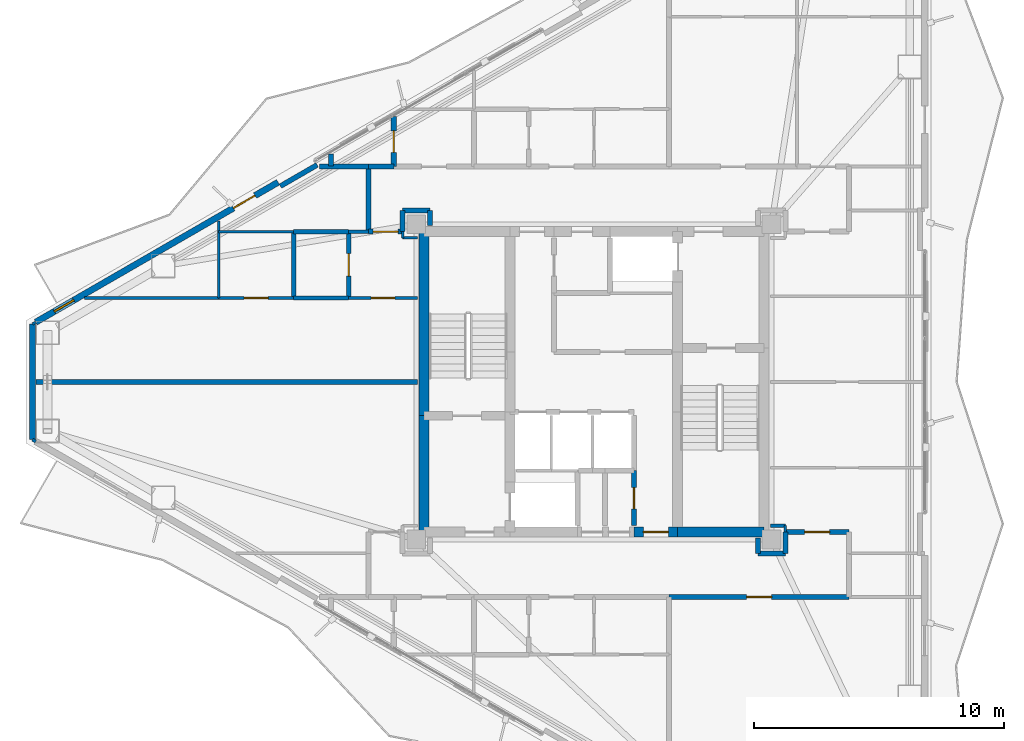
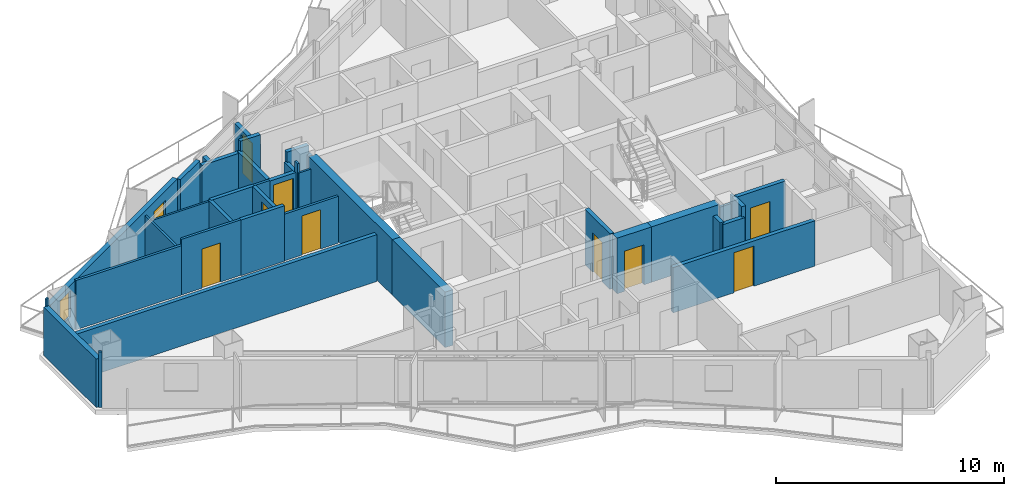
# One storey, part 13 of 18: 39 walls, 10 doors, 1 window, 11 openings.
"""IFC4 building model written with IfcOpenShell, lengths in metres."""

from ifc_helpers import new_model, si_unit, direction, frame, frame_2d, origin, place, context, subcontext, project, spatial, rectangle, extrude, material, layer, layer_set, type_object, element, fill, save


model = new_model("IFC4")

# Units and contexts
model_context = context("Model", 3, precision=1e-05, world=origin(), true_north=direction((0.0, 1.0)))
body_context = subcontext(model_context, "Body", "Model", "MODEL_VIEW")
ifc_project = project(units=[si_unit("LENGTHUNIT", "METRE"), si_unit("AREAUNIT", "SQUARE_METRE"), si_unit("VOLUMEUNIT", "CUBIC_METRE"), si_unit("PLANEANGLEUNIT", "RADIAN"), si_unit("MASSUNIT", "GRAM", prefix="KILO")], contexts=[model_context])

# Site, building, storey
site_placement = place(None, origin())
site = spatial("IfcSite", under=ifc_project, at=site_placement, CompositionType="ELEMENT")
building_placement = place(site_placement, origin())
building = spatial("IfcBuilding", under=site, at=building_placement, Name="Mersakhor Tower and Convention Hall", CompositionType="ELEMENT")
storey_placement = place(building_placement, frame((0.0, 0.0, 157.5)))
storey = spatial("IfcBuildingStorey", under=building, at=storey_placement, Name="L44", CompositionType="ELEMENT", Elevation=157.5)

# Wall
ifc_material_1 = material(Name="Precast concrete C40/50", Category="concrete")
ifc_layer_1 = layer(ifc_material_1, 0.25)
ifc_layer_set_1 = layer_set([ifc_layer_1], Name="Precast concrete C40/50")
wall_type_1 = type_object("IfcWallType", Name="WL-EXT-250", PredefinedType="SOLIDWALL", material=ifc_layer_set_1)
wall_1_placement = place(storey_placement, frame((6.560302734375, 24.44140625, 0.0), z_axis=(0.0, 0.0, 1.0), x_axis=(0.0, 1.0, 0.0)))
element("IfcWall", 1, at=wall_1_placement, inside=storey, type_object=wall_type_1, Name="L44 Chamfer Braced Spandrel Wall C3", PredefinedType="SOLIDWALL", context=body_context, shape_type="SweptSolid", body=[
    extrude(rectangle(XDim=4.6171875, YDim=0.25, at=frame_2d((2.30859375, 0.0))), origin(), (0.0, 0.0, 1.0), 2.60009765625),
])

# Wall, openings, door, window
wall_2_placement = place(storey_placement, frame((6.690185546875, 29.1337890625, 0.0), z_axis=(0.0, 0.0, 1.0), x_axis=(0.866027848477, 0.499995765644, 0.0)))
wall_2 = element("IfcWall", 2, at=wall_2_placement, inside=storey, type_object=wall_type_1, Name="L44 Exterior Facade Wall F1-B1", PredefinedType="SOLIDWALL", context=body_context, shape_type="SweptSolid", body=[
    extrude(rectangle(XDim=11.18603515625, YDim=0.25, at=frame_2d((5.593017578125, 0.0))), origin(), (0.0, 0.0, 1.0), 2.60009765625),
])
opening_1_placement = place(wall_2_placement, frame((9.1220703125, 0.0, 0.0)))
opening_1 = element("IfcOpeningElement", 3, at=opening_1_placement, cuts=wall_2, Name="Opening BD-01", PredefinedType="OPENING", context=body_context, shape_type="SweptSolid", body=[
    extrude(rectangle(XDim=1.0, YDim=2.10009765625, at=frame_2d((0.5, 1.050048828125))), frame((0.0, 0.135009765625, 0.0), z_axis=(0.0, -1.0, 0.0), x_axis=(1.0, 0.0, 0.0)), (0.0, 0.0, 1.0), 0.27001953125),
])
opening_2_placement = place(wall_2_placement, frame((0.860107421875, 0.0, 0.89990234375)))
opening_2 = element("IfcOpeningElement", 4, at=opening_2_placement, cuts=wall_2, Name="Opening W-06", PredefinedType="OPENING", context=body_context, shape_type="SweptSolid", body=[
    extrude(rectangle(XDim=0.89990234375, YDim=1.39990234375, at=frame_2d((0.449951171875, 0.699951171875))), frame((0.0, 0.135009765625, 0.0), z_axis=(0.0, -1.0, 0.0), x_axis=(1.0, 0.0, 0.0)), (0.0, 0.0, 1.0), 0.27001953125),
])
ifc_material_2 = material(Name="Thermally broken dark aluminium and safety glass", Category="aluminium")
door_type_1 = type_object("IfcDoorType", Name="DR-BAL-100x210", OperationType="NOTDEFINED", PredefinedType="DOOR", material=ifc_material_2)
door_1_placement = place(opening_1_placement, origin())
door_1 = element("IfcDoor", 5, at=door_1_placement, inside=storey, type_object=door_type_1, Name="L44 Balcony Terrace Door F1-B1", OperationType="SINGLE_SWING_LEFT", OverallHeight=2.10009765625, OverallWidth=1.0, PredefinedType="DOOR", context=body_context, shape_type="SweptSolid", body=[
    extrude(rectangle(XDim=1.0, YDim=2.10009765625, at=frame_2d((0.5, 1.050048828125))), frame((0.0, 0.02490234375, 0.0), z_axis=(0.0, -1.0, 0.0), x_axis=(1.0, 0.0, 0.0)), (0.0, 0.0, 1.0), 0.050048828125),
])
fill(opening_1, door_1)
ifc_material_3 = material(Name="Dark solar low-E glazed aluminium window", Category="aluminium")
window_type = type_object("IfcWindowType", Name="WN-STD-090x140", PartitioningType="SINGLE_PANEL", PredefinedType="WINDOW", material=ifc_material_3)
window_placement = place(opening_2_placement, origin())
window = element("IfcWindow", 6, at=window_placement, inside=storey, type_object=window_type, Name="L44 Bedroom Facade Window F1-B1-1", OverallHeight=1.39990234375, OverallWidth=0.89990234375, PartitioningType="SINGLE_PANEL", PredefinedType="WINDOW", context=body_context, shape_type="SweptSolid", body=[
    extrude(rectangle(XDim=0.89990234375, YDim=1.39990234375, at=frame_2d((0.449951171875, 0.699951171875))), frame((0.0, 0.030029296875, 0.0), z_axis=(0.0, -1.0, 0.0), x_axis=(1.0, 0.0, 0.0)), (0.0, 0.0, 1.0), 0.06005859375),
])
fill(opening_2, window)

# Wall
ifc_material_4 = material(Name="Precast concrete C40/50", Category="concrete")
ifc_layer_2 = layer(ifc_material_4, 0.199951171875)
ifc_layer_set_2 = layer_set([ifc_layer_2], Name="Precast concrete C40/50")
wall_type_2 = type_object("IfcWallType", Name="WL-PAR-200", PredefinedType="PARAPET", material=ifc_layer_set_2)
wall_3_placement = place(storey_placement, frame((16.467529296875, 34.57080078125, 0.0), z_axis=(0.0, 0.0, 1.0), x_axis=(0.865989465428, 0.500062241894, 0.0)))
element("IfcWall", 7, at=wall_3_placement, inside=storey, type_object=wall_type_2, Name="L44 Column Pier Cladding Wall F1-C1", PredefinedType="PARAPET", context=body_context, shape_type="SweptSolid", body=[
    extrude(rectangle(XDim=1.699951171875, YDim=0.199951171875, at=frame_2d((0.85009765625, 0.0))), origin(), (0.0, 0.0, 1.0), 2.60009765625),
])

# Wall, opening, door
ifc_material_5 = material(Name="Moisture-resistant acoustic drywall studwork", Category="other")
ifc_layer_3 = layer(ifc_material_5, 0.175048828125)
ifc_layer_set_3 = layer_set([ifc_layer_3], Name="Moisture-resistant acoustic drywall studwork")
wall_type_3 = type_object("IfcWallType", Name="WL-PLM-175", PredefinedType="PLUMBINGWALL", material=ifc_layer_set_3)
wall_4_placement = place(storey_placement, frame((19.199951171875, 30.10009765625, 0.0), z_axis=(0.0, 0.0, 1.0), x_axis=(0.0, 1.0, 0.0)))
wall_4 = element("IfcWall", 8, at=wall_4_placement, inside=storey, type_object=wall_type_3, Name="L44 Interior Partition Wall P-060", PredefinedType="PLUMBINGWALL", context=body_context, shape_type="SweptSolid", body=[
    extrude(rectangle(XDim=2.64990234375, YDim=0.175048828125, at=frame_2d((1.324951171875, 0.0))), origin(), (0.0, 0.0, 1.0), 2.42822265625),
])
opening_3_placement = place(wall_4_placement, frame((0.875, 0.0, 0.0)))
opening_3 = element("IfcOpeningElement", 9, at=opening_3_placement, cuts=wall_4, Name="Opening WD-01", PredefinedType="OPENING", context=body_context, shape_type="SweptSolid", body=[
    extrude(rectangle(XDim=0.89990234375, YDim=2.10009765625, at=frame_2d((0.449951171875, 1.050048828125))), frame((0.0, 0.097412109375, 0.0), z_axis=(0.0, -1.0, 0.0), x_axis=(1.0, 0.0, 0.0)), (0.0, 0.0, 1.0), 0.195068359375),
])
ifc_material_6 = material(Name="Solid-core hardwood leaf in painted steel frame", Category="steel")
door_type_2 = type_object("IfcDoorType", Name="DR-INT-WET-090x210", OperationType="NOTDEFINED", PredefinedType="DOOR", material=ifc_material_6)
door_2_placement = place(opening_3_placement, origin())
door_2 = element("IfcDoor", 10, at=door_2_placement, inside=storey, type_object=door_type_2, Name="L44 L44 Flat W5 Apartment Hall to L44 Flat W5 Bathroom Door", OperationType="SINGLE_SWING_LEFT", OverallHeight=2.10009765625, OverallWidth=0.89990234375, PredefinedType="DOOR", context=body_context, shape_type="SweptSolid", body=[
    extrude(rectangle(XDim=0.89990234375, YDim=2.10009765625, at=frame_2d((0.449951171875, 1.050048828125))), frame((0.0, 0.02490234375, 0.0), z_axis=(0.0, -1.0, 0.0), x_axis=(1.0, 0.0, 0.0)), (0.0, 0.0, 1.0), 0.050048828125),
])
fill(opening_3, door_2)

# Walls
wall_5_placement = place(storey_placement, frame((17.0, 32.75, 0.0), z_axis=(0.0, 0.0, 1.0), x_axis=(1.0, 0.0, 0.0)))
element("IfcWall", 11, at=wall_5_placement, inside=storey, type_object=wall_type_3, Name="L44 Interior Partition Wall P-071", PredefinedType="PLUMBINGWALL", context=body_context, shape_type="SweptSolid", body=[
    extrude(rectangle(XDim=2.199951171875, YDim=0.175048828125, at=frame_2d((1.10009765625, 0.0))), origin(), (0.0, 0.0, 1.0), 2.42822265625),
])
wall_6_placement = place(storey_placement, frame((19.199951171875, 30.10009765625, 0.0), z_axis=(0.0, 0.0, 1.0), x_axis=(-1.0, 0.0, 0.0)))
element("IfcWall", 12, at=wall_6_placement, inside=storey, type_object=wall_type_3, Name="L44 Interior Partition Wall P-072", PredefinedType="PLUMBINGWALL", context=body_context, shape_type="SweptSolid", body=[
    extrude(rectangle(XDim=2.199951171875, YDim=0.175048828125, at=frame_2d((1.10009765625, 0.0))), origin(), (0.0, 0.0, 1.0), 2.97998046875),
])
wall_7_placement = place(storey_placement, frame((17.0, 30.10009765625, 0.0), z_axis=(0.0, 0.0, 1.0), x_axis=(0.0, 1.0, 0.0)))
element("IfcWall", 13, at=wall_7_placement, inside=storey, type_object=wall_type_3, Name="L44 Interior Partition Wall P-073", PredefinedType="PLUMBINGWALL", context=body_context, shape_type="SweptSolid", body=[
    extrude(rectangle(XDim=2.64990234375, YDim=0.175048828125, at=frame_2d((1.324951171875, 0.0))), origin(), (0.0, 0.0, 1.0), 2.42822265625),
])
ifc_material_7 = material(Name="Lightweight gypsum partition", Category="other")
ifc_layer_4 = layer(ifc_material_7, 0.10009765625)
ifc_layer_set_4 = layer_set([ifc_layer_4], Name="Lightweight gypsum partition")
wall_type_4 = type_object("IfcWallType", Name="WL-PRT-100", PredefinedType="PARTITIONING", material=ifc_layer_set_4)
wall_8_placement = place(storey_placement, frame((21.35009765625, 32.5, 0.0), z_axis=(0.0, 0.0, 1.0), x_axis=(1.0, 0.0, 0.0)))
element("IfcWall", 14, at=wall_8_placement, inside=storey, type_object=wall_type_4, Name="L44 Interior Partition Wall P-058", PredefinedType="PARTITIONING", context=body_context, shape_type="SweptSolid", body=[
    extrude(rectangle(XDim=0.599853515625, YDim=0.10009765625, at=frame_2d((0.2998046875, 0.0))), origin(), (0.0, 0.0, 1.0), 2.5048828125),
])
wall_9_placement = place(storey_placement, frame((21.35009765625, 32.75, 0.0), z_axis=(0.0, 0.0, 1.0), x_axis=(0.0, -1.0, 0.0)))
element("IfcWall", 15, at=wall_9_placement, inside=storey, type_object=wall_type_4, Name="L44 Interior Partition Wall P-062", PredefinedType="PARTITIONING", context=body_context, shape_type="SweptSolid", body=[
    extrude(rectangle(XDim=0.25, YDim=0.10009765625, at=frame_2d((0.125, 0.0))), origin(), (0.0, 0.0, 1.0), 2.97998046875),
])
wall_10_placement = place(storey_placement, frame((14.0, 32.75, 0.0), z_axis=(0.0, 0.0, 1.0), x_axis=(1.0, 0.0, 0.0)))
element("IfcWall", 16, at=wall_10_placement, inside=storey, type_object=wall_type_4, Name="L44 Interior Partition Wall P-074", PredefinedType="PARTITIONING", context=body_context, shape_type="SweptSolid", body=[
    extrude(rectangle(XDim=3.0, YDim=0.10009765625, at=frame_2d((1.5, 0.0))), origin(), (0.0, 0.0, 1.0), 2.364990234375),
])
wall_11_placement = place(storey_placement, frame((14.0, 30.10009765625, 0.0), z_axis=(0.0, 0.0, 1.0), x_axis=(0.0, 1.0, 0.0)))
element("IfcWall", 17, at=wall_11_placement, inside=storey, type_object=wall_type_4, Name="L44 Interior Partition Wall P-076", PredefinedType="PARTITIONING", context=body_context, shape_type="SweptSolid", body=[
    extrude(rectangle(XDim=3.081787109375, YDim=0.10009765625, at=frame_2d((1.541015625, 0.0))), origin(), (0.0, 0.0, 1.0), 2.364990234375),
])
wall_12_placement = place(storey_placement, frame((36.64990234375, 20.75, 0.0), z_axis=(0.0, 0.0, 1.0), x_axis=(0.0, 1.0, 0.0)))
element("IfcWall", 18, at=wall_12_placement, inside=storey, type_object=wall_type_4, Name="L44 Interior Partition Wall P-096", PredefinedType="PARTITIONING", context=body_context, shape_type="SweptSolid", body=[
    extrude(rectangle(XDim=0.25, YDim=0.10009765625, at=frame_2d((0.125, 0.0))), origin(), (0.0, 0.0, 1.0), 2.97998046875),
])
wall_13_placement = place(storey_placement, frame((6.56005859375, 29.05908203125, 0.0), z_axis=(0.0, 0.0, 1.0), x_axis=(0.866131372301, 0.499816412211, 0.0)))
element("IfcWall", 19, at=wall_13_placement, inside=storey, type_object=wall_type_4, Name="L44 Interior Partition Wall P-118", PredefinedType="PARTITIONING", context=body_context, shape_type="SweptSolid", body=[
    extrude(rectangle(XDim=0.14990234375, YDim=0.10009765625, at=frame_2d((0.074951171875, 0.0))), origin(), (0.0, 0.0, 1.0), 2.97998046875),
])

# Wall, opening, door
ifc_material_8 = material(Name="Gypsum board acoustic partition", Category="other")
ifc_layer_5 = layer(ifc_material_8, 0.125)
ifc_layer_set_5 = layer_set([ifc_layer_5], Name="Gypsum board acoustic partition")
wall_type_5 = type_object("IfcWallType", Name="WL-PRT-125", PredefinedType="PARTITIONING", material=ifc_layer_set_5)
wall_14_placement = place(storey_placement, frame((21.949951171875, 30.10009765625, 0.0), z_axis=(0.0, 0.0, 1.0), x_axis=(-1.0, 0.0, 0.0)))
wall_14 = element("IfcWall", 20, at=wall_14_placement, inside=storey, type_object=wall_type_5, Name="L44 Interior Partition Wall P-059", PredefinedType="PARTITIONING", context=body_context, shape_type="SweptSolid", body=[
    extrude(rectangle(XDim=2.75, YDim=0.125, at=frame_2d((1.375, 0.0))), origin(), (0.0, 0.0, 1.0), 2.5048828125),
])
opening_4_placement = place(wall_14_placement, frame((0.89990234375, 0.0, 0.0)))
opening_4 = element("IfcOpeningElement", 21, at=opening_4_placement, cuts=wall_14, Name="Opening RD-01", PredefinedType="OPENING", context=body_context, shape_type="SweptSolid", body=[
    extrude(rectangle(XDim=0.949951171875, YDim=2.10009765625, at=frame_2d((0.47509765625, 1.050048828125))), frame((0.0, 0.072509765625, 0.0), z_axis=(0.0, -1.0, 0.0), x_axis=(1.0, 0.0, 0.0)), (0.0, 0.0, 1.0), 0.14501953125),
])
ifc_material_9 = material(Name="Solid-core hardwood leaf in painted steel frame", Category="steel")
door_type_3 = type_object("IfcDoorType", Name="DR-INT-RM-095x210", OperationType="NOTDEFINED", PredefinedType="DOOR", material=ifc_material_9)
door_3_placement = place(opening_4_placement, origin())
door_3 = element("IfcDoor", 22, at=door_3_placement, inside=storey, type_object=door_type_3, Name="L44 L44 Flat W5 Apartment Hall to L44 Flat W5 Studio Living and Sleeping Room Door", OperationType="SINGLE_SWING_RIGHT", OverallHeight=2.10009765625, OverallWidth=0.949951171875, PredefinedType="DOOR", context=body_context, shape_type="SweptSolid", body=[
    extrude(rectangle(XDim=0.949951171875, YDim=2.10009765625, at=frame_2d((0.47509765625, 1.050048828125))), frame((0.0, 0.02490234375, 0.0), z_axis=(0.0, -1.0, 0.0), x_axis=(1.0, 0.0, 0.0)), (0.0, 0.0, 1.0), 0.050048828125),
])
fill(opening_4, door_3)

# Wall
wall_15_placement = place(storey_placement, frame((19.199951171875, 32.75, 0.0), z_axis=(0.0, 0.0, 1.0), x_axis=(1.0, 0.0, 0.0)))
element("IfcWall", 23, at=wall_15_placement, inside=storey, type_object=wall_type_5, Name="L44 Interior Partition Wall P-061", PredefinedType="PARTITIONING", context=body_context, shape_type="SweptSolid", body=[
    extrude(rectangle(XDim=0.800048828125, YDim=0.125, at=frame_2d((0.39990234375, 0.0))), origin(), (0.0, 0.0, 1.0), 2.42822265625),
])

# Wall, opening, door
wall_16_placement = place(storey_placement, frame((17.0, 30.10009765625, 0.0), z_axis=(0.0, 0.0, 1.0), x_axis=(-1.0, 0.0, 0.0)))
wall_16 = element("IfcWall", 24, at=wall_16_placement, inside=storey, type_object=wall_type_5, Name="L44 Interior Partition Wall P-075", PredefinedType="PARTITIONING", context=body_context, shape_type="SweptSolid", body=[
    extrude(rectangle(XDim=3.0, YDim=0.125, at=frame_2d((1.5, 0.0))), origin(), (0.0, 0.0, 1.0), 2.97998046875),
])
opening_5_placement = place(wall_16_placement, frame((1.02490234375, 0.0, 0.0)))
opening_5 = element("IfcOpeningElement", 25, at=opening_5_placement, cuts=wall_16, Name="Opening RD-01", PredefinedType="OPENING", context=body_context, shape_type="SweptSolid", body=[
    extrude(rectangle(XDim=0.949951171875, YDim=2.10009765625, at=frame_2d((0.47509765625, 1.050048828125))), frame((0.0, 0.072509765625, 0.0), z_axis=(0.0, -1.0, 0.0), x_axis=(1.0, 0.0, 0.0)), (0.0, 0.0, 1.0), 0.14501953125),
])
door_4_placement = place(opening_5_placement, origin())
door_4 = element("IfcDoor", 26, at=door_4_placement, inside=storey, type_object=door_type_3, Name="L44 L44 Flat W5 Kitchen to L44 Flat W5 Studio Living and Sleeping Room Door", OperationType="SINGLE_SWING_LEFT", OverallHeight=2.10009765625, OverallWidth=0.949951171875, PredefinedType="DOOR", context=body_context, shape_type="SweptSolid", body=[
    extrude(rectangle(XDim=0.949951171875, YDim=2.10009765625, at=frame_2d((0.47509765625, 1.050048828125))), frame((0.0, 0.02490234375, 0.0), z_axis=(0.0, -1.0, 0.0), x_axis=(1.0, 0.0, 0.0)), (0.0, 0.0, 1.0), 0.050048828125),
])
fill(opening_5, door_4)

# Walls
wall_17_placement = place(storey_placement, frame((6.68994140625, 24.365966796875, 0.0), z_axis=(0.0, 0.0, 1.0), x_axis=(-0.866131372301, 0.499816412211, 0.0)))
element("IfcWall", 27, at=wall_17_placement, inside=storey, type_object=wall_type_5, Name="L44 Interior Partition Wall P-095", PredefinedType="PARTITIONING", context=body_context, shape_type="SweptSolid", body=[
    extrude(rectangle(XDim=0.14990234375, YDim=0.125, at=frame_2d((0.074951171875, 0.0))), origin(), (0.0, 0.0, 1.0), 2.97998046875),
])
wall_18_placement = place(storey_placement, frame((36.64990234375, 21.0, 0.0), z_axis=(0.0, 0.0, 1.0), x_axis=(-1.0, 0.0, 0.0)))
element("IfcWall", 28, at=wall_18_placement, inside=storey, type_object=wall_type_5, Name="L44 Interior Partition Wall P-097", PredefinedType="PARTITIONING", context=body_context, shape_type="SweptSolid", body=[
    extrude(rectangle(XDim=0.599853515625, YDim=0.125, at=frame_2d((0.2998046875, 0.0))), origin(), (0.0, 0.0, 1.0), 2.5048828125),
])
wall_19_placement = place(storey_placement, frame((8.634765625, 30.10009765625, 0.0), z_axis=(0.0, 0.0, 1.0), x_axis=(1.0, 0.0, 0.0)))
element("IfcWall", 29, at=wall_19_placement, inside=storey, type_object=wall_type_5, Name="L44 Interior Partition Wall P-117", PredefinedType="PARTITIONING", context=body_context, shape_type="SweptSolid", body=[
    extrude(rectangle(XDim=5.365234375, YDim=0.125, at=frame_2d((2.6826171875, 0.0))), origin(), (0.0, 0.0, 1.0), 2.64453125),
])

# Wall, opening, door
ifc_material_10 = material(Name="Acoustic concrete blockwork and gypsum board", Category="masonry")
ifc_layer_6 = layer(ifc_material_10, 0.199951171875)
ifc_layer_set_6 = layer_set([ifc_layer_6], Name="Acoustic concrete blockwork and gypsum board")
wall_type_6 = type_object("IfcWallType", Name="WL-PRT-200", PredefinedType="PARTITIONING", material=ifc_layer_set_6)
wall_20_placement = place(storey_placement, frame((30.60009765625, 21.0, 0.0), z_axis=(0.0, 0.0, 1.0), x_axis=(0.0, 1.0, 0.0)))
wall_20 = element("IfcWall", 30, at=wall_20_placement, inside=storey, type_object=wall_type_6, Name="L44 Interior Partition Wall P-012", PredefinedType="PARTITIONING", context=body_context, shape_type="SweptSolid", body=[
    extrude(rectangle(XDim=2.199951171875, YDim=0.199951171875, at=frame_2d((1.10009765625, 0.0))), origin(), (0.0, 0.0, 1.0), 2.97998046875),
])
opening_6_placement = place(wall_20_placement, frame((0.675048828125, 0.0, 0.0)))
opening_6 = element("IfcOpeningElement", 31, at=opening_6_placement, cuts=wall_20, Name="Opening SVD-01", PredefinedType="OPENING", context=body_context, shape_type="SweptSolid", body=[
    extrude(rectangle(XDim=0.85009765625, YDim=2.10009765625, at=frame_2d((0.425048828125, 1.050048828125))), frame((0.0, 0.10986328125, 0.0), z_axis=(0.0, -1.0, 0.0), x_axis=(1.0, 0.0, 0.0)), (0.0, 0.0, 1.0), 0.219970703125),
])
ifc_material_11 = material(Name="Fire-rated hardwood leaf and painted steel frame", Category="steel")
door_type_4 = type_object("IfcDoorType", Name="DR-INT-SVC-085x210", OperationType="NOTDEFINED", PredefinedType="DOOR", material=ifc_material_11)
door_5_placement = place(opening_6_placement, origin())
door_5 = element("IfcDoor", 32, at=door_5_placement, inside=storey, type_object=door_type_4, Name="L44 Central Passenger Lift Lobby to Core Maintenance Store Room Door", OperationType="SINGLE_SWING_RIGHT", OverallHeight=2.10009765625, OverallWidth=0.85009765625, PredefinedType="DOOR", context=body_context, shape_type="SweptSolid", body=[
    extrude(rectangle(XDim=0.85009765625, YDim=2.10009765625, at=frame_2d((0.425048828125, 1.050048828125))), frame((0.0, 0.02490234375, 0.0), z_axis=(0.0, -1.0, 0.0), x_axis=(1.0, 0.0, 0.0)), (0.0, 0.0, 1.0), 0.050048828125),
])
fill(opening_6, door_5)

# Walls
wall_21_placement = place(storey_placement, frame((22.449951171875, 33.0, 0.0), z_axis=(0.0, 0.0, 1.0), x_axis=(0.0, 1.0, 0.0)))
element("IfcWall", 33, at=wall_21_placement, inside=storey, type_object=wall_type_6, Name="L44 Interior Partition Wall P-017", PredefinedType="PARTITIONING", context=body_context, shape_type="SweptSolid", body=[
    extrude(rectangle(XDim=0.60009765625, YDim=0.199951171875, at=frame_2d((0.300048828125, 0.0))), origin(), (0.0, 0.0, 1.0), 2.5048828125),
])
wall_22_placement = place(storey_placement, frame((22.449951171875, 33.60009765625, 0.0), z_axis=(0.0, 0.0, 1.0), x_axis=(-1.0, 0.0, 0.0)))
element("IfcWall", 34, at=wall_22_placement, inside=storey, type_object=wall_type_6, Name="L44 Interior Partition Wall P-018", PredefinedType="PARTITIONING", context=body_context, shape_type="SweptSolid", body=[
    extrude(rectangle(XDim=1.099853515625, YDim=0.199951171875, at=frame_2d((0.5498046875, 0.0))), origin(), (0.0, 0.0, 1.0), 2.97998046875),
])
wall_23_placement = place(storey_placement, frame((21.35009765625, 33.60009765625, 0.0), z_axis=(0.0, 0.0, 1.0), x_axis=(0.0, -1.0, 0.0)))
element("IfcWall", 35, at=wall_23_placement, inside=storey, type_object=wall_type_6, Name="L44 Interior Partition Wall P-019", PredefinedType="PARTITIONING", context=body_context, shape_type="SweptSolid", body=[
    extrude(rectangle(XDim=0.85009765625, YDim=0.199951171875, at=frame_2d((0.425048828125, 0.0))), origin(), (0.0, 0.0, 1.0), 2.42822265625),
])

# Wall, opening, door
wall_24_placement = place(storey_placement, frame((21.35009765625, 32.75, 0.0), z_axis=(0.0, 0.0, 1.0), x_axis=(-1.0, 0.0, 0.0)))
wall_24 = element("IfcWall", 36, at=wall_24_placement, inside=storey, type_object=wall_type_6, Name="L44 Interior Partition Wall P-020", PredefinedType="PARTITIONING", context=body_context, shape_type="SweptSolid", body=[
    extrude(rectangle(XDim=1.35009765625, YDim=0.199951171875, at=frame_2d((0.675048828125, 0.0))), origin(), (0.0, 0.0, 1.0), 2.42822265625),
])
opening_7_placement = place(wall_24_placement, frame((0.175048828125, 0.0, 0.0)))
opening_7 = element("IfcOpeningElement", 37, at=opening_7_placement, cuts=wall_24, Name="Opening FD-01", PredefinedType="OPENING", context=body_context, shape_type="SweptSolid", body=[
    extrude(rectangle(XDim=1.0, YDim=2.14990234375, at=frame_2d((0.5, 1.074951171875))), frame((0.0, 0.10986328125, 0.0), z_axis=(0.0, -1.0, 0.0), x_axis=(1.0, 0.0, 0.0)), (0.0, 0.0, 1.0), 0.219970703125),
])
ifc_material_12 = material(Name="Fire-rated hardwood leaf and painted steel frame", Category="steel")
door_type_5 = type_object("IfcDoorType", Name="DR-INT-FLT-100x215", OperationType="NOTDEFINED", PredefinedType="DOOR", material=ifc_material_12)
door_6_placement = place(opening_7_placement, origin())
door_6 = element("IfcDoor", 38, at=door_6_placement, inside=storey, type_object=door_type_5, Name="L44 Apartment Entrance Door (Residential North Gallery Corridor to L44 Flat W5 Apartment Hall)", OperationType="SINGLE_SWING_RIGHT", OverallHeight=2.14990234375, OverallWidth=1.0, PredefinedType="DOOR", context=body_context, shape_type="SweptSolid", body=[
    extrude(rectangle(XDim=1.0, YDim=2.14990234375, at=frame_2d((0.5, 1.074951171875))), frame((0.0, 0.02490234375, 0.0), z_axis=(0.0, -1.0, 0.0), x_axis=(1.0, 0.0, 0.0)), (0.0, 0.0, 1.0), 0.050048828125),
])
fill(opening_7, door_6)

# Walls
wall_25_placement = place(storey_placement, frame((20.0, 32.75, 0.0), z_axis=(0.0, 0.0, 1.0), x_axis=(0.0, 1.0, 0.0)))
element("IfcWall", 39, at=wall_25_placement, inside=storey, type_object=wall_type_6, Name="L44 Interior Partition Wall P-021", PredefinedType="PARTITIONING", context=body_context, shape_type="SweptSolid", body=[
    extrude(rectangle(XDim=2.60009765625, YDim=0.199951171875, at=frame_2d((1.300048828125, 0.0))), origin(), (0.0, 0.0, 1.0), 2.42822265625),
])
wall_26_placement = place(storey_placement, frame((20.0, 35.35009765625, 0.0), z_axis=(0.0, 0.0, 1.0), x_axis=(1.0, 0.0, 0.0)))
element("IfcWall", 40, at=wall_26_placement, inside=storey, type_object=wall_type_6, Name="L44 Interior Partition Wall P-022", PredefinedType="PARTITIONING", context=body_context, shape_type="SweptSolid", body=[
    extrude(rectangle(XDim=1.0, YDim=0.199951171875, at=frame_2d((0.5, 0.0))), origin(), (0.0, 0.0, 1.0), 2.97998046875),
])
wall_27_placement = place(storey_placement, frame((35.550048828125, 20.5, 0.0), z_axis=(0.0, 0.0, 1.0), x_axis=(0.0, -1.0, 0.0)))
element("IfcWall", 41, at=wall_27_placement, inside=storey, type_object=wall_type_6, Name="L44 Interior Partition Wall P-035", PredefinedType="PARTITIONING", context=body_context, shape_type="SweptSolid", body=[
    extrude(rectangle(XDim=0.60009765625, YDim=0.199951171875, at=frame_2d((0.300048828125, 0.0))), origin(), (0.0, 0.0, 1.0), 2.5048828125),
])
wall_28_placement = place(storey_placement, frame((35.550048828125, 19.89990234375, 0.0), z_axis=(0.0, 0.0, 1.0), x_axis=(1.0, 0.0, 0.0)))
element("IfcWall", 42, at=wall_28_placement, inside=storey, type_object=wall_type_6, Name="L44 Interior Partition Wall P-036", PredefinedType="PARTITIONING", context=body_context, shape_type="SweptSolid", body=[
    extrude(rectangle(XDim=1.099853515625, YDim=0.199951171875, at=frame_2d((0.5498046875, 0.0))), origin(), (0.0, 0.0, 1.0), 2.42822265625),
])
wall_29_placement = place(storey_placement, frame((36.64990234375, 19.89990234375, 0.0), z_axis=(0.0, 0.0, 1.0), x_axis=(0.0, 1.0, 0.0)))
element("IfcWall", 43, at=wall_29_placement, inside=storey, type_object=wall_type_6, Name="L44 Interior Partition Wall P-037", PredefinedType="PARTITIONING", context=body_context, shape_type="SweptSolid", body=[
    extrude(rectangle(XDim=0.85009765625, YDim=0.199951171875, at=frame_2d((0.425048828125, 0.0))), origin(), (0.0, 0.0, 1.0), 2.97998046875),
])

# Wall, opening, door
wall_30_placement = place(storey_placement, frame((36.64990234375, 20.75, 0.0), z_axis=(0.0, 0.0, 1.0), x_axis=(1.0, 0.0, 0.0)))
wall_30 = element("IfcWall", 44, at=wall_30_placement, inside=storey, type_object=wall_type_6, Name="L44 Interior Partition Wall P-038", PredefinedType="PARTITIONING", context=body_context, shape_type="SweptSolid", body=[
    extrude(rectangle(XDim=2.550048828125, YDim=0.199951171875, at=frame_2d((1.27490234375, 0.0))), origin(), (0.0, 0.0, 1.0), 2.97998046875),
])
opening_8_placement = place(wall_30_placement, frame((0.77490234375, 0.0, 0.0)))
opening_8 = element("IfcOpeningElement", 45, at=opening_8_placement, cuts=wall_30, Name="Opening FD-01", PredefinedType="OPENING", context=body_context, shape_type="SweptSolid", body=[
    extrude(rectangle(XDim=1.0, YDim=2.14990234375, at=frame_2d((0.5, 1.074951171875))), frame((0.0, 0.10986328125, 0.0), z_axis=(0.0, -1.0, 0.0), x_axis=(1.0, 0.0, 0.0)), (0.0, 0.0, 1.0), 0.219970703125),
])
door_7_placement = place(opening_8_placement, origin())
door_7 = element("IfcDoor", 46, at=door_7_placement, inside=storey, type_object=door_type_5, Name="L44 Residential South Gallery Corridor to L44 East Wing Shared Study Room Door", OperationType="SINGLE_SWING_LEFT", OverallHeight=2.14990234375, OverallWidth=1.0, PredefinedType="DOOR", context=body_context, shape_type="SweptSolid", body=[
    extrude(rectangle(XDim=1.0, YDim=2.14990234375, at=frame_2d((0.5, 1.074951171875))), frame((0.0, 0.02490234375, 0.0), z_axis=(0.0, -1.0, 0.0), x_axis=(1.0, 0.0, 0.0)), (0.0, 0.0, 1.0), 0.050048828125),
])
fill(opening_8, door_7)

wall_31_placement = place(storey_placement, frame((39.199951171875, 18.14990234375, 0.0), z_axis=(0.0, 0.0, 1.0), x_axis=(-1.0, 0.0, 0.0)))
wall_31 = element("IfcWall", 47, at=wall_31_placement, inside=storey, type_object=wall_type_6, Name="L44 Interior Partition Wall P-041", PredefinedType="PARTITIONING", context=body_context, shape_type="SweptSolid", body=[
    extrude(rectangle(XDim=7.199951171875, YDim=0.199951171875, at=frame_2d((3.60009765625, 0.0))), origin(), (0.0, 0.0, 1.0), 2.42822265625),
])
opening_9_placement = place(wall_31_placement, frame((3.10009765625, 0.0, 0.0)))
opening_9 = element("IfcOpeningElement", 48, at=opening_9_placement, cuts=wall_31, Name="Opening FD-01", PredefinedType="OPENING", context=body_context, shape_type="SweptSolid", body=[
    extrude(rectangle(XDim=1.0, YDim=2.14990234375, at=frame_2d((0.5, 1.074951171875))), frame((0.0, 0.10986328125, 0.0), z_axis=(0.0, -1.0, 0.0), x_axis=(1.0, 0.0, 0.0)), (0.0, 0.0, 1.0), 0.219970703125),
])
door_8_placement = place(opening_9_placement, origin())
door_8 = element("IfcDoor", 49, at=door_8_placement, inside=storey, type_object=door_type_5, Name="L44 Residential South Gallery Corridor to L44 South-East Residents Lounge Annex Door", OperationType="SINGLE_SWING_LEFT", OverallHeight=2.14990234375, OverallWidth=1.0, PredefinedType="DOOR", context=body_context, shape_type="SweptSolid", body=[
    extrude(rectangle(XDim=1.0, YDim=2.14990234375, at=frame_2d((0.5, 1.074951171875))), frame((0.0, 0.02490234375, 0.0), z_axis=(0.0, -1.0, 0.0), x_axis=(1.0, 0.0, 0.0)), (0.0, 0.0, 1.0), 0.050048828125),
])
fill(opening_9, door_8)

# Walls
wall_32_placement = place(storey_placement, frame((6.709228515625, 26.75, 0.0), z_axis=(0.0, 0.0, 1.0), x_axis=(1.0, 0.0, 0.0)))
element("IfcWall", 50, at=wall_32_placement, inside=storey, type_object=wall_type_6, Name="L44 Interior Partition Wall P-091", PredefinedType="PARTITIONING", context=body_context, shape_type="SweptSolid", body=[
    extrude(rectangle(XDim=15.24072265625, YDim=0.199951171875, at=frame_2d((7.620361328125, 0.0))), origin(), (0.0, 0.0, 1.0), 2.5048828125),
])
wall_33_placement = place(storey_placement, frame((20.0, 35.35009765625, 0.0), z_axis=(0.0, 0.0, 1.0), x_axis=(-1.0, 0.0, 0.0)))
element("IfcWall", 51, at=wall_33_placement, inside=storey, type_object=wall_type_6, Name="L44 Interior Partition Wall P-107", PredefinedType="PARTITIONING", context=body_context, shape_type="SweptSolid", body=[
    extrude(rectangle(XDim=1.95751953125, YDim=0.199951171875, at=frame_2d((0.978759765625, 0.0))), origin(), (0.0, 0.0, 1.0), 2.364990234375),
])
wall_34_placement = place(storey_placement, frame((18.5, 35.3798828125, 0.0), z_axis=(0.0, 0.0, 1.0), x_axis=(0.0, 1.0, 0.0)))
element("IfcWall", 52, at=wall_34_placement, inside=storey, type_object=wall_type_6, Name="L44 Interior Partition Wall P-108", PredefinedType="PARTITIONING", context=body_context, shape_type="SweptSolid", body=[
    extrude(rectangle(XDim=0.46826171875, YDim=0.199951171875, at=frame_2d((0.234130859375, 0.0))), origin(), (0.0, 0.0, 1.0), 2.364990234375),
])

# Wall, opening, door
wall_35_placement = place(storey_placement, frame((21.0, 37.3515625, 0.0), z_axis=(0.0, 0.0, 1.0), x_axis=(0.0, -1.0, 0.0)))
wall_35 = element("IfcWall", 53, at=wall_35_placement, inside=storey, type_object=wall_type_6, Name="L44 Interior Partition Wall P-109", PredefinedType="PARTITIONING", context=body_context, shape_type="SweptSolid", body=[
    extrude(rectangle(XDim=2.00146484375, YDim=0.199951171875, at=frame_2d((1.000732421875, 0.0))), origin(), (0.0, 0.0, 1.0), 2.364990234375),
])
opening_10_placement = place(wall_35_placement, frame((0.57568359375, 0.0, 0.0)))
opening_10 = element("IfcOpeningElement", 54, at=opening_10_placement, cuts=wall_35, Name="Opening SVD-01", PredefinedType="OPENING", context=body_context, shape_type="SweptSolid", body=[
    extrude(rectangle(XDim=0.85009765625, YDim=2.10009765625, at=frame_2d((0.425048828125, 1.050048828125))), frame((0.0, 0.10986328125, 0.0), z_axis=(0.0, -1.0, 0.0), x_axis=(1.0, 0.0, 0.0)), (0.0, 0.0, 1.0), 0.219970703125),
])
door_9_placement = place(opening_10_placement, origin())
door_9 = element("IfcDoor", 55, at=door_9_placement, inside=storey, type_object=door_type_4, Name="L44 L44 Floor Household Store Room 1-1 to L44 Floor Shared Tea Pantry 1-2 Door", OperationType="SINGLE_SWING_LEFT", OverallHeight=2.10009765625, OverallWidth=0.85009765625, PredefinedType="DOOR", context=body_context, shape_type="SweptSolid", body=[
    extrude(rectangle(XDim=0.85009765625, YDim=2.10009765625, at=frame_2d((0.425048828125, 1.050048828125))), frame((0.0, 0.02490234375, 0.0), z_axis=(0.0, -1.0, 0.0), x_axis=(1.0, 0.0, 0.0)), (0.0, 0.0, 1.0), 0.050048828125),
])
fill(opening_10, door_9)

# Walls
ifc_material_13 = material(Name="Concrete C60/75", Category="concrete")
ifc_layer_7 = layer(ifc_material_13, 0.39990234375)
ifc_layer_set_7 = layer_set([ifc_layer_7], Name="Concrete C60/75")
wall_type_7 = type_object("IfcWallType", Name="WL-SHR-400", PredefinedType="SHEAR", material=ifc_layer_set_7)
wall_36_placement = place(storey_placement, frame((22.199951171875, 20.75, 0.0), z_axis=(0.0, 0.0, 1.0), x_axis=(0.0, 1.0, 0.0)))
element("IfcWall", 56, at=wall_36_placement, inside=storey, type_object=wall_type_7, Name="L44 Core Wall CW-W1", PredefinedType="SHEAR", context=body_context, shape_type="SweptSolid", body=[
    extrude(rectangle(XDim=4.64990234375, YDim=0.39990234375, at=frame_2d((2.324951171875, 0.0))), origin(), (0.0, 0.0, 1.0), 2.97998046875),
])
wall_37_placement = place(storey_placement, frame((22.199951171875, 25.39990234375, 0.0), z_axis=(0.0, 0.0, 1.0), x_axis=(0.0, 1.0, 0.0)))
element("IfcWall", 57, at=wall_37_placement, inside=storey, type_object=wall_type_7, Name="L44 Core Wall CW-W2", PredefinedType="SHEAR", context=body_context, shape_type="SweptSolid", body=[
    extrude(rectangle(XDim=7.35009765625, YDim=0.39990234375, at=frame_2d((3.675048828125, 0.0))), origin(), (0.0, 0.0, 1.0), 2.97998046875),
])
wall_38_placement = place(storey_placement, frame((35.800048828125, 20.75, 0.0), z_axis=(0.0, 0.0, 1.0), x_axis=(-1.0, 0.0, 0.0)))
element("IfcWall", 58, at=wall_38_placement, inside=storey, type_object=wall_type_7, Name="L44 Core Wall CW-S1", PredefinedType="SHEAR", context=body_context, shape_type="SweptSolid", body=[
    extrude(rectangle(XDim=3.449951171875, YDim=0.39990234375, at=frame_2d((1.72509765625, 0.0))), origin(), (0.0, 0.0, 1.0), 2.97998046875),
])

# Wall, opening, door
wall_39_placement = place(storey_placement, frame((32.35009765625, 20.75, 0.0), z_axis=(0.0, 0.0, 1.0), x_axis=(-1.0, 0.0, 0.0)))
wall_39 = element("IfcWall", 59, at=wall_39_placement, inside=storey, type_object=wall_type_7, Name="L44 Core Wall CW-S2A", PredefinedType="SHEAR", context=body_context, shape_type="SweptSolid", body=[
    extrude(rectangle(XDim=1.75, YDim=0.39990234375, at=frame_2d((0.875, 0.0))), origin(), (0.0, 0.0, 1.0), 2.97998046875),
])
opening_11_placement = place(wall_39_placement, frame((0.375, 0.0, 0.0)))
opening_11 = element("IfcOpeningElement", 60, at=opening_11_placement, cuts=wall_39, Name="Opening CFD-01", PredefinedType="OPENING", context=body_context, shape_type="SweptSolid", body=[
    extrude(rectangle(XDim=1.0, YDim=2.14990234375, at=frame_2d((0.5, 1.074951171875))), frame((0.0, 0.2099609375, 0.0), z_axis=(0.0, -1.0, 0.0), x_axis=(1.0, 0.0, 0.0)), (0.0, 0.0, 1.0), 0.419921875),
])
ifc_material_14 = material(Name="Fire-rated hardwood leaf and painted steel frame", Category="steel")
door_type_6 = type_object("IfcDoorType", Name="DR-CORE-FD-100x215", OperationType="NOTDEFINED", PredefinedType="DOOR", material=ifc_material_14)
door_10_placement = place(opening_11_placement, origin())
door_10 = element("IfcDoor", 61, at=door_10_placement, inside=storey, type_object=door_type_6, Name="L44 Lift Lobby South Corridor Door", OperationType="SINGLE_SWING_RIGHT", OverallHeight=2.14990234375, OverallWidth=1.0, PredefinedType="DOOR", context=body_context, shape_type="SweptSolid", body=[
    extrude(rectangle(XDim=1.0, YDim=2.14990234375, at=frame_2d((0.5, 1.074951171875))), frame((0.0, 0.02490234375, 0.0), z_axis=(0.0, -1.0, 0.0), x_axis=(1.0, 0.0, 0.0)), (0.0, 0.0, 1.0), 0.050048828125),
])
fill(opening_11, door_10)

save(model, "model.ifc")
